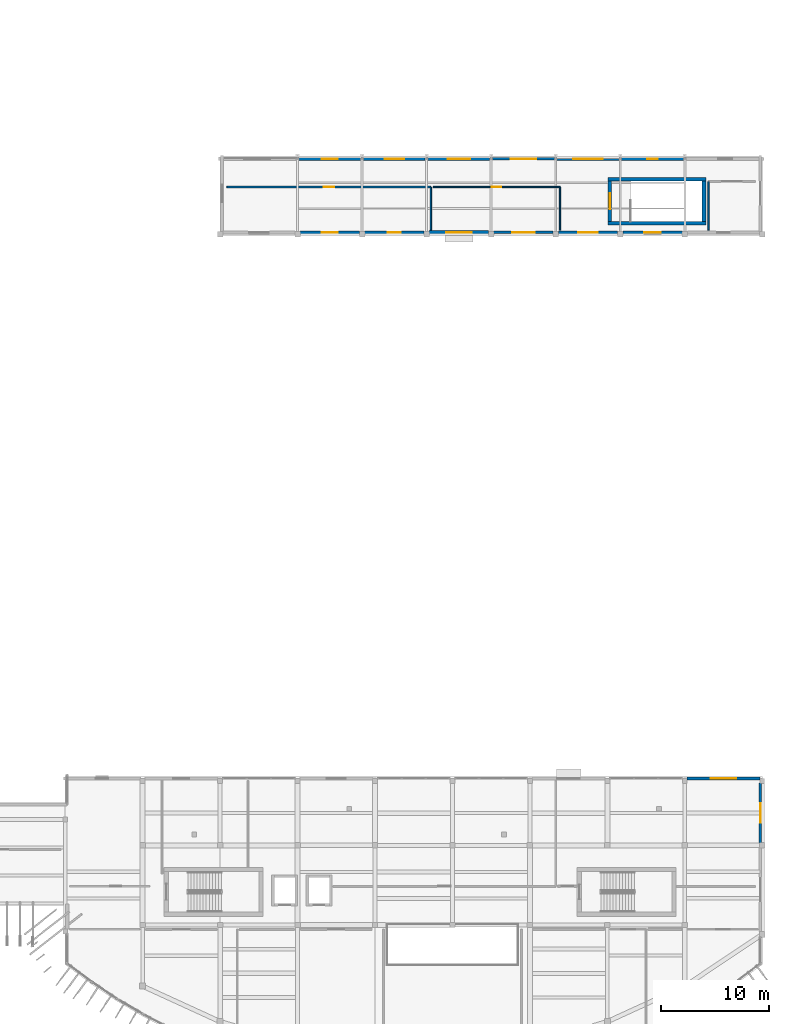
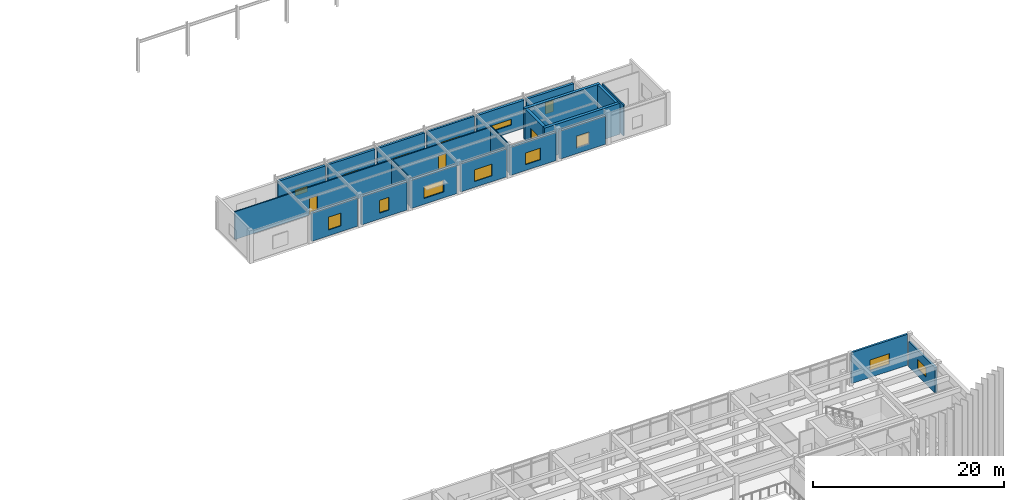
# One storey, part 33 of 47: 23 walls, 14 windows, 3 doors, 17 openings.
"""IFC4 building model written with IfcOpenShell, lengths in metres."""

from ifc_helpers import new_model, si_unit, direction, frame, frame_2d, origin, place, context, subcontext, project, spatial, rectangle, extrude, material, layer, layer_set, type_object, element, fill, save


model = new_model("IFC4")

# Units and contexts
model_context = context("Model", 3, precision=1e-05, world=origin(), true_north=direction((0.0, 1.0)))
body_context = subcontext(model_context, "Body", "Model", "MODEL_VIEW")
ifc_project = project(units=[si_unit("LENGTHUNIT", "METRE"), si_unit("AREAUNIT", "SQUARE_METRE"), si_unit("VOLUMEUNIT", "CUBIC_METRE"), si_unit("PLANEANGLEUNIT", "RADIAN"), si_unit("MASSUNIT", "GRAM", prefix="KILO")], contexts=[model_context])

# Site, building, storey
site_placement = place(None, origin())
site = spatial("IfcSite", under=ifc_project, at=site_placement, CompositionType="ELEMENT")
building_placement = place(site_placement, origin())
building = spatial("IfcBuilding", under=site, at=building_placement, Name="Brisavento Harbour Community Centre", CompositionType="ELEMENT")
storey_placement = place(building_placement, frame((0.0, 0.0, 8.699951171875)))
storey = spatial("IfcBuildingStorey", under=building, at=storey_placement, Name="L02", CompositionType="ELEMENT", Elevation=8.699951171875)

# Walls
ifc_material_1 = material(Name="Concrete C40/50", Category="concrete")
ifc_layer_1 = layer(ifc_material_1, 0.35009765625, Name="Concrete C40/50")
ifc_layer_set_1 = layer_set([ifc_layer_1], Name="Concrete C40/50")
wall_type_1 = type_object("IfcWallType", Name="WL-CORE-350", PredefinedType="SHEAR", material=ifc_layer_set_1)
for number, where, z_axis, x_axis, name in (
    (1, (158.449951171875, 80.22509765625, 0.0), (0.0, 0.0, 1.0), (1.0, 0.0, 0.0), "L02 core C4 shear wall L"),
    (2, (167.550048828125, 84.324951171875, 0.0), (0.0, 0.0, 1.0), (-1.0, 0.0, 0.0), "L02 core C4 shear wall R"),
):
    element("IfcWall", number, at=place(storey_placement, frame(where, z_axis=z_axis, x_axis=x_axis)), inside=storey, type_object=wall_type_1, Name=name, PredefinedType="SHEAR", context=body_context, shape_type="SweptSolid", body=[
        extrude(rectangle(XDim=9.10009765625, YDim=0.35009765625, at=frame_2d((4.550048828125, 0.0))), origin(), (0.0, 0.0, 1.0), 3.9599609375),
    ])
wall_1_placement = place(storey_placement, frame((167.375, 80.39990234375, 0.0), z_axis=(0.0, 0.0, 1.0), x_axis=(0.0, 1.0, 0.0)))
element("IfcWall", 3, at=wall_1_placement, inside=storey, type_object=wall_type_1, Name="L02 core C4 shear wall F", PredefinedType="SHEAR", context=body_context, shape_type="SweptSolid", body=[
    extrude(rectangle(XDim=3.75, YDim=0.35009765625, at=frame_2d((1.875, 0.0))), origin(), (0.0, 0.0, 1.0), 3.9599609375),
])

# Wall, opening, door
wall_2_placement = place(storey_placement, frame((158.625, 84.14990234375, 0.0), z_axis=(0.0, 0.0, 1.0), x_axis=(0.0, -1.0, 0.0)))
wall_2 = element("IfcWall", 4, at=wall_2_placement, inside=storey, type_object=wall_type_1, Name="L02 core C4 shear wall N", PredefinedType="SHEAR", context=body_context, shape_type="SweptSolid", body=[
    extrude(rectangle(XDim=3.75, YDim=0.35009765625, at=frame_2d((1.875, 0.0))), origin(), (0.0, 0.0, 1.0), 3.9599609375),
])
opening_1_placement = place(wall_2_placement, frame((1.125, 0.0, 0.0)))
opening_1 = element("IfcOpeningElement", 5, at=opening_1_placement, cuts=wall_2, Name="Opening SD-01", PredefinedType="OPENING", context=body_context, shape_type="SweptSolid", body=[
    extrude(rectangle(XDim=1.5, YDim=2.199951171875, at=frame_2d((0.75, 1.10009765625))), frame((0.0, 0.18505859375, 0.0), z_axis=(0.0, -1.0, 0.0), x_axis=(1.0, 0.0, 0.0)), (0.0, 0.0, 1.0), 0.3701171875),
])
ifc_material_2 = material(Name="Fire-rated steel door assembly", Category="steel")
door_type_1 = type_object("IfcDoorType", Name="DR-STAIR-150x220", OperationType="NOTDEFINED", PredefinedType="DOOR", material=ifc_material_2)
door_1_placement = place(opening_1_placement, origin())
door_1 = element("IfcDoor", 6, at=door_1_placement, inside=storey, type_object=door_type_1, Name="L02 exit stair ST-06 fire door", OperationType="SINGLE_SWING_RIGHT", OverallHeight=2.199951171875, OverallWidth=1.5, PredefinedType="DOOR", context=body_context, shape_type="SweptSolid", body=[
    extrude(rectangle(XDim=1.5, YDim=2.199951171875, at=frame_2d((0.75, 1.10009765625))), frame((0.0, 0.02490234375, 0.0), z_axis=(0.0, -1.0, 0.0), x_axis=(1.0, 0.0, 0.0)), (0.0, 0.0, 1.0), 0.050048828125),
])
fill(opening_1, door_1)

# Wall, opening, window
ifc_material_3 = material(Name="Terracotta masonry unit", Category="masonry")
ifc_layer_2 = layer(ifc_material_3, 0.239990234375, Name="Terracotta masonry unit")
ifc_layer_set_2 = layer_set([ifc_layer_2], Name="Terracotta masonry unit")
wall_type_2 = type_object("IfcWallType", Name="WL-EXT-240", PredefinedType="SOLIDWALL", material=ifc_layer_set_2)
wall_3_placement = place(storey_placement, frame((165.81005859375, 28.6201171875, 0.0), z_axis=(0.0, 0.0, 1.0), x_axis=(1.0, 0.0, 0.0)))
wall_3 = element("IfcWall", 7, at=wall_3_placement, inside=storey, type_object=wall_type_2, Name="L02 V3 exterior wall 0243", PredefinedType="SOLIDWALL", context=body_context, shape_type="SweptSolid", body=[
    extrude(rectangle(XDim=6.780029296875, YDim=0.239990234375, at=frame_2d((3.39013671875, 0.0))), origin(), (0.0, 0.0, 1.0), 3.9599609375),
])
opening_2_placement = place(wall_3_placement, frame((2.18994140625, 0.0, 0.89990234375)))
opening_2 = element("IfcOpeningElement", 8, at=opening_2_placement, cuts=wall_3, Name="Opening W-13", PredefinedType="OPENING", context=body_context, shape_type="SweptSolid", body=[
    extrude(rectangle(XDim=2.39990234375, YDim=1.35009765625, at=frame_2d((1.199951171875, 0.675048828125))), frame((0.0, 0.1298828125, 0.0), z_axis=(0.0, -1.0, 0.0), x_axis=(1.0, 0.0, 0.0)), (0.0, 0.0, 1.0), 0.260009765625),
])
ifc_material_4 = material(Name="Solar-control laminated low-E glass", Category="glass")
window_type_1 = type_object("IfcWindowType", Name="WIN-CAS-13", PartitioningType="SINGLE_PANEL", PredefinedType="WINDOW", material=ifc_material_4)
window_1_placement = place(opening_2_placement, origin())
window_1 = element("IfcWindow", 9, at=window_1_placement, inside=storey, type_object=window_type_1, Name="L02 V3 impact casement window 0121", OverallHeight=1.35009765625, OverallWidth=2.39990234375, PartitioningType="SINGLE_PANEL", PredefinedType="WINDOW", context=body_context, shape_type="SweptSolid", body=[
    extrude(rectangle(XDim=2.39990234375, YDim=1.35009765625, at=frame_2d((1.199951171875, 0.675048828125))), frame((0.0, 0.030029296875, 0.0), z_axis=(0.0, -1.0, 0.0), x_axis=(1.0, 0.0, 0.0)), (0.0, 0.0, 1.0), 0.06005859375),
])
fill(opening_2, window_1)

wall_4_placement = place(storey_placement, frame((153.364990234375, 79.3798828125, 0.0), z_axis=(0.0, 0.0, 1.0), x_axis=(-1.0, 0.0, 0.0)))
wall_4 = element("IfcWall", 10, at=wall_4_placement, inside=storey, type_object=wall_type_2, Name="L02 V4 exterior wall 0248", PredefinedType="SOLIDWALL", context=body_context, shape_type="SweptSolid", body=[
    extrude(rectangle(XDim=5.530029296875, YDim=0.239990234375, at=frame_2d((2.76513671875, 0.0))), origin(), (0.0, 0.0, 1.0), 3.60009765625),
])
opening_3_placement = place(wall_4_placement, frame((1.715087890625, 0.0, 0.75)))
opening_3 = element("IfcOpeningElement", 11, at=opening_3_placement, cuts=wall_4, Name="Opening W-17", PredefinedType="OPENING", context=body_context, shape_type="SweptSolid", body=[
    extrude(rectangle(XDim=2.10009765625, YDim=1.5, at=frame_2d((1.050048828125, 0.75))), frame((0.0, 0.1298828125, 0.0), z_axis=(0.0, -1.0, 0.0), x_axis=(1.0, 0.0, 0.0)), (0.0, 0.0, 1.0), 0.260009765625),
])
window_type_2 = type_object("IfcWindowType", Name="WIN-CAS-17", PartitioningType="SINGLE_PANEL", PredefinedType="WINDOW", material=ifc_material_4)
window_2_placement = place(opening_3_placement, origin())
window_2 = element("IfcWindow", 12, at=window_2_placement, inside=storey, type_object=window_type_2, Name="L02 V4 impact casement window 0125", OverallHeight=1.5, OverallWidth=2.10009765625, PartitioningType="SINGLE_PANEL", PredefinedType="WINDOW", context=body_context, shape_type="SweptSolid", body=[
    extrude(rectangle(XDim=2.10009765625, YDim=1.5, at=frame_2d((1.050048828125, 0.75))), frame((0.0, 0.030029296875, 0.0), z_axis=(0.0, -1.0, 0.0), x_axis=(1.0, 0.0, 0.0)), (0.0, 0.0, 1.0), 0.06005859375),
])
fill(opening_3, window_2)

wall_5_placement = place(storey_placement, frame((147.735107421875, 86.219970703125, 0.0), z_axis=(0.0, 0.0, 1.0), x_axis=(1.0, 0.0, 0.0)))
wall_5 = element("IfcWall", 13, at=wall_5_placement, inside=storey, type_object=wall_type_2, Name="L02 V4 exterior wall 0258", PredefinedType="SOLIDWALL", context=body_context, shape_type="SweptSolid", body=[
    extrude(rectangle(XDim=5.72998046875, YDim=0.239990234375, at=frame_2d((2.864990234375, 0.0))), origin(), (0.0, 0.0, 1.0), 3.56005859375),
])
opening_4_placement = place(wall_5_placement, frame((1.6650390625, 0.0, 0.89990234375)))
opening_4 = element("IfcOpeningElement", 14, at=opening_4_placement, cuts=wall_5, Name="Opening W-27", PredefinedType="OPENING", context=body_context, shape_type="SweptSolid", body=[
    extrude(rectangle(XDim=2.39990234375, YDim=0.75, at=frame_2d((1.199951171875, 0.375))), frame((0.0, 0.1298828125, 0.0), z_axis=(0.0, -1.0, 0.0), x_axis=(1.0, 0.0, 0.0)), (0.0, 0.0, 1.0), 0.260009765625),
])
window_type_3 = type_object("IfcWindowType", Name="WIN-CAS-27", PartitioningType="SINGLE_PANEL", PredefinedType="WINDOW", material=ifc_material_4)
window_3_placement = place(opening_4_placement, origin())
window_3 = element("IfcWindow", 15, at=window_3_placement, inside=storey, type_object=window_type_3, Name="L02 V4 impact casement window 0135", OverallHeight=0.75, OverallWidth=2.39990234375, PartitioningType="SINGLE_PANEL", PredefinedType="WINDOW", context=body_context, shape_type="SweptSolid", body=[
    extrude(rectangle(XDim=2.39990234375, YDim=0.75, at=frame_2d((1.199951171875, 0.375))), frame((0.0, 0.030029296875, 0.0), z_axis=(0.0, -1.0, 0.0), x_axis=(1.0, 0.0, 0.0)), (0.0, 0.0, 1.0), 0.06005859375),
])
fill(opening_4, window_3)

ifc_layer_3 = layer(ifc_material_3, 0.260009765625, Name="Terracotta masonry unit")
ifc_layer_set_3 = layer_set([ifc_layer_3], Name="Terracotta masonry unit")
wall_type_3 = type_object("IfcWallType", Name="WL-EXT-260", PredefinedType="SOLIDWALL", material=ifc_layer_set_3)
wall_6_placement = place(storey_placement, frame((172.6201171875, 28.18994140625, 0.0), z_axis=(0.0, 0.0, 1.0), x_axis=(0.0, -1.0, 0.0)))
wall_6 = element("IfcWall", 16, at=wall_6_placement, inside=storey, type_object=wall_type_3, Name="L02 V3 exterior wall 0237", PredefinedType="SOLIDWALL", context=body_context, shape_type="SweptSolid", body=[
    extrude(rectangle(XDim=5.554931640625, YDim=0.260009765625, at=frame_2d((2.77734375, 0.0))), origin(), (0.0, 0.0, 1.0), 3.260009765625),
])
opening_5_placement = place(wall_6_placement, frame((1.87744140625, 0.0, 0.89990234375)))
opening_5 = element("IfcOpeningElement", 17, at=opening_5_placement, cuts=wall_6, Name="Opening W-07", PredefinedType="OPENING", context=body_context, shape_type="SweptSolid", body=[
    extrude(rectangle(XDim=1.800048828125, YDim=1.199951171875, at=frame_2d((0.89990234375, 0.60009765625))), frame((0.0, 0.14013671875, 0.0), z_axis=(0.0, -1.0, 0.0), x_axis=(1.0, 0.0, 0.0)), (0.0, 0.0, 1.0), 0.280029296875),
])
window_type_4 = type_object("IfcWindowType", Name="WIN-CAS-07", PartitioningType="SINGLE_PANEL", PredefinedType="WINDOW", material=ifc_material_4)
window_4_placement = place(opening_5_placement, origin())
window_4 = element("IfcWindow", 18, at=window_4_placement, inside=storey, type_object=window_type_4, Name="L02 V3 impact casement window 0115", OverallHeight=1.199951171875, OverallWidth=1.800048828125, PartitioningType="SINGLE_PANEL", PredefinedType="WINDOW", context=body_context, shape_type="SweptSolid", body=[
    extrude(rectangle(XDim=1.800048828125, YDim=1.199951171875, at=frame_2d((0.89990234375, 0.60009765625))), frame((0.0, 0.030029296875, 0.0), z_axis=(0.0, -1.0, 0.0), x_axis=(1.0, 0.0, 0.0)), (0.0, 0.0, 1.0), 0.06005859375),
])
fill(opening_5, window_4)

wall_7_placement = place(storey_placement, frame((159.364990234375, 79.3798828125, 0.0), z_axis=(0.0, 0.0, 1.0), x_axis=(-1.0, 0.0, 0.0)))
wall_7 = element("IfcWall", 19, at=wall_7_placement, inside=storey, type_object=wall_type_3, Name="L02 V4 exterior wall 0247", PredefinedType="SOLIDWALL", context=body_context, shape_type="SweptSolid", body=[
    extrude(rectangle(XDim=5.530029296875, YDim=0.260009765625, at=frame_2d((2.76513671875, 0.0))), origin(), (0.0, 0.0, 1.0), 3.60009765625),
])
opening_6_placement = place(wall_7_placement, frame((1.864990234375, 0.0, 0.75)))
opening_6 = element("IfcOpeningElement", 20, at=opening_6_placement, cuts=wall_7, Name="Opening W-16", PredefinedType="OPENING", context=body_context, shape_type="SweptSolid", body=[
    extrude(rectangle(XDim=1.800048828125, YDim=1.5, at=frame_2d((0.89990234375, 0.75))), frame((0.0, 0.14013671875, 0.0), z_axis=(0.0, -1.0, 0.0), x_axis=(1.0, 0.0, 0.0)), (0.0, 0.0, 1.0), 0.280029296875),
])
window_type_5 = type_object("IfcWindowType", Name="WIN-CAS-16", PartitioningType="SINGLE_PANEL", PredefinedType="WINDOW", material=ifc_material_4)
window_5_placement = place(opening_6_placement, origin())
window_5 = element("IfcWindow", 21, at=window_5_placement, inside=storey, type_object=window_type_5, Name="L02 V4 impact casement window 0124", OverallHeight=1.5, OverallWidth=1.800048828125, PartitioningType="SINGLE_PANEL", PredefinedType="WINDOW", context=body_context, shape_type="SweptSolid", body=[
    extrude(rectangle(XDim=1.800048828125, YDim=1.5, at=frame_2d((0.89990234375, 0.75))), frame((0.0, 0.030029296875, 0.0), z_axis=(0.0, -1.0, 0.0), x_axis=(1.0, 0.0, 0.0)), (0.0, 0.0, 1.0), 0.06005859375),
])
fill(opening_6, window_5)

wall_8_placement = place(storey_placement, frame((141.735107421875, 86.219970703125, 0.0), z_axis=(0.0, 0.0, 1.0), x_axis=(1.0, 0.0, 0.0)))
wall_8 = element("IfcWall", 22, at=wall_8_placement, inside=storey, type_object=wall_type_3, Name="L02 V4 exterior wall 0257", PredefinedType="SOLIDWALL", context=body_context, shape_type="SweptSolid", body=[
    extrude(rectangle(XDim=5.72998046875, YDim=0.260009765625, at=frame_2d((2.864990234375, 0.0))), origin(), (0.0, 0.0, 1.0), 3.56005859375),
])
opening_7_placement = place(wall_8_placement, frame((1.81494140625, 0.0, 0.89990234375)))
opening_7 = element("IfcOpeningElement", 23, at=opening_7_placement, cuts=wall_8, Name="Opening W-26", PredefinedType="OPENING", context=body_context, shape_type="SweptSolid", body=[
    extrude(rectangle(XDim=2.10009765625, YDim=0.75, at=frame_2d((1.050048828125, 0.375))), frame((0.0, 0.14013671875, 0.0), z_axis=(0.0, -1.0, 0.0), x_axis=(1.0, 0.0, 0.0)), (0.0, 0.0, 1.0), 0.280029296875),
])
window_type_6 = type_object("IfcWindowType", Name="WIN-CAS-26", PartitioningType="SINGLE_PANEL", PredefinedType="WINDOW", material=ifc_material_4)
window_6_placement = place(opening_7_placement, origin())
window_6 = element("IfcWindow", 24, at=window_6_placement, inside=storey, type_object=window_type_6, Name="L02 V4 impact casement window 0134", OverallHeight=0.75, OverallWidth=2.10009765625, PartitioningType="SINGLE_PANEL", PredefinedType="WINDOW", context=body_context, shape_type="SweptSolid", body=[
    extrude(rectangle(XDim=2.10009765625, YDim=0.75, at=frame_2d((1.050048828125, 0.375))), frame((0.0, 0.030029296875, 0.0), z_axis=(0.0, -1.0, 0.0), x_axis=(1.0, 0.0, 0.0)), (0.0, 0.0, 1.0), 0.06005859375),
])
fill(opening_7, window_6)

ifc_material_5 = material(Name="Precast concrete C40/50", Category="concrete")
ifc_layer_4 = layer(ifc_material_5, 0.280029296875, Name="Precast concrete C40/50")
ifc_layer_set_4 = layer_set([ifc_layer_4], Name="Precast concrete C40/50")
wall_type_4 = type_object("IfcWallType", Name="WL-EXT-280", PredefinedType="SOLIDWALL", material=ifc_layer_set_4)
wall_9_placement = place(storey_placement, frame((165.364990234375, 79.3798828125, 0.0), z_axis=(0.0, 0.0, 1.0), x_axis=(-1.0, 0.0, 0.0)))
wall_9 = element("IfcWall", 25, at=wall_9_placement, inside=storey, type_object=wall_type_4, Name="L02 V4 exterior wall 0246", PredefinedType="SOLIDWALL", context=body_context, shape_type="SweptSolid", body=[
    extrude(rectangle(XDim=5.530029296875, YDim=0.280029296875, at=frame_2d((2.76513671875, 0.0))), origin(), (0.0, 0.0, 1.0), 3.60009765625),
])
opening_8_placement = place(wall_9_placement, frame((2.014892578125, 0.0, 0.75)))
opening_8 = element("IfcOpeningElement", 26, at=opening_8_placement, cuts=wall_9, Name="Opening W-15", PredefinedType="OPENING", context=body_context, shape_type="SweptSolid", body=[
    extrude(rectangle(XDim=1.5, YDim=1.5, at=frame_2d((0.75, 0.75))), frame((0.0, 0.14990234375, 0.0), z_axis=(0.0, -1.0, 0.0), x_axis=(1.0, 0.0, 0.0)), (0.0, 0.0, 1.0), 0.300048828125),
])
window_type_7 = type_object("IfcWindowType", Name="WIN-CAS-15", PartitioningType="SINGLE_PANEL", PredefinedType="WINDOW", material=ifc_material_4)
window_7_placement = place(opening_8_placement, origin())
window_7 = element("IfcWindow", 27, at=window_7_placement, inside=storey, type_object=window_type_7, Name="L02 V4 impact casement window 0123", OverallHeight=1.5, OverallWidth=1.5, PartitioningType="SINGLE_PANEL", PredefinedType="WINDOW", context=body_context, shape_type="SweptSolid", body=[
    extrude(rectangle(XDim=1.5, YDim=1.5, at=frame_2d((0.75, 0.75))), frame((0.0, 0.030029296875, 0.0), z_axis=(0.0, -1.0, 0.0), x_axis=(1.0, 0.0, 0.0)), (0.0, 0.0, 1.0), 0.06005859375),
])
fill(opening_8, window_7)

wall_10_placement = place(storey_placement, frame((135.364990234375, 79.3798828125, 0.0), z_axis=(0.0, 0.0, 1.0), x_axis=(-1.0, 0.0, 0.0)))
wall_10 = element("IfcWall", 28, at=wall_10_placement, inside=storey, type_object=wall_type_4, Name="L02 V4 exterior wall 0251", PredefinedType="SOLIDWALL", context=body_context, shape_type="SweptSolid", body=[
    extrude(rectangle(XDim=5.530029296875, YDim=0.280029296875, at=frame_2d((2.76513671875, 0.0))), origin(), (0.0, 0.0, 1.0), 3.60009765625),
])
opening_9_placement = place(wall_10_placement, frame((2.014892578125, 0.0, 0.75)))
opening_9 = element("IfcOpeningElement", 29, at=opening_9_placement, cuts=wall_10, Name="Opening W-20", PredefinedType="OPENING", context=body_context, shape_type="SweptSolid", body=[
    extrude(rectangle(XDim=1.5, YDim=1.64990234375, at=frame_2d((0.75, 0.824951171875))), frame((0.0, 0.14990234375, 0.0), z_axis=(0.0, -1.0, 0.0), x_axis=(1.0, 0.0, 0.0)), (0.0, 0.0, 1.0), 0.300048828125),
])
window_type_8 = type_object("IfcWindowType", Name="WIN-CAS-20", PartitioningType="SINGLE_PANEL", PredefinedType="WINDOW", material=ifc_material_4)
window_8_placement = place(opening_9_placement, origin())
window_8 = element("IfcWindow", 30, at=window_8_placement, inside=storey, type_object=window_type_8, Name="L02 V4 impact casement window 0128", OverallHeight=1.64990234375, OverallWidth=1.5, PartitioningType="SINGLE_PANEL", PredefinedType="WINDOW", context=body_context, shape_type="SweptSolid", body=[
    extrude(rectangle(XDim=1.5, YDim=1.64990234375, at=frame_2d((0.75, 0.824951171875))), frame((0.0, 0.030029296875, 0.0), z_axis=(0.0, -1.0, 0.0), x_axis=(1.0, 0.0, 0.0)), (0.0, 0.0, 1.0), 0.06005859375),
])
fill(opening_9, window_8)

wall_11_placement = place(storey_placement, frame((135.735107421875, 86.219970703125, 0.0), z_axis=(0.0, 0.0, 1.0), x_axis=(1.0, 0.0, 0.0)))
wall_11 = element("IfcWall", 31, at=wall_11_placement, inside=storey, type_object=wall_type_4, Name="L02 V4 exterior wall 0256", PredefinedType="SOLIDWALL", context=body_context, shape_type="SweptSolid", body=[
    extrude(rectangle(XDim=5.72998046875, YDim=0.280029296875, at=frame_2d((2.864990234375, 0.0))), origin(), (0.0, 0.0, 1.0), 3.56005859375),
])
opening_10_placement = place(wall_11_placement, frame((1.965087890625, 0.0, 0.89990234375)))
opening_10 = element("IfcOpeningElement", 32, at=opening_10_placement, cuts=wall_11, Name="Opening W-25", PredefinedType="OPENING", context=body_context, shape_type="SweptSolid", body=[
    extrude(rectangle(XDim=1.800048828125, YDim=0.75, at=frame_2d((0.89990234375, 0.375))), frame((0.0, 0.14990234375, 0.0), z_axis=(0.0, -1.0, 0.0), x_axis=(1.0, 0.0, 0.0)), (0.0, 0.0, 1.0), 0.300048828125),
])
window_type_9 = type_object("IfcWindowType", Name="WIN-CAS-25", PartitioningType="SINGLE_PANEL", PredefinedType="WINDOW", material=ifc_material_4)
window_9_placement = place(opening_10_placement, origin())
window_9 = element("IfcWindow", 33, at=window_9_placement, inside=storey, type_object=window_type_9, Name="L02 V4 impact casement window 0133", OverallHeight=0.75, OverallWidth=1.800048828125, PartitioningType="SINGLE_PANEL", PredefinedType="WINDOW", context=body_context, shape_type="SweptSolid", body=[
    extrude(rectangle(XDim=1.800048828125, YDim=0.75, at=frame_2d((0.89990234375, 0.375))), frame((0.0, 0.030029296875, 0.0), z_axis=(0.0, -1.0, 0.0), x_axis=(1.0, 0.0, 0.0)), (0.0, 0.0, 1.0), 0.06005859375),
])
fill(opening_10, window_9)

ifc_material_6 = material(Name="Concrete C35/45", Category="concrete")
ifc_layer_5 = layer(ifc_material_6, 0.300048828125, Name="Concrete C35/45")
ifc_layer_set_5 = layer_set([ifc_layer_5], Name="Concrete C35/45")
wall_type_5 = type_object("IfcWallType", Name="WL-EXT-300", PredefinedType="SOLIDWALL", material=ifc_layer_set_5)
wall_12_placement = place(storey_placement, frame((141.364990234375, 79.3798828125, 0.0), z_axis=(0.0, 0.0, 1.0), x_axis=(-1.0, 0.0, 0.0)))
wall_12 = element("IfcWall", 34, at=wall_12_placement, inside=storey, type_object=wall_type_5, Name="L02 V4 exterior wall 0250", PredefinedType="SOLIDWALL", context=body_context, shape_type="SweptSolid", body=[
    extrude(rectangle(XDim=5.530029296875, YDim=0.300048828125, at=frame_2d((2.76513671875, 0.0))), origin(), (0.0, 0.0, 1.0), 3.60009765625),
])
opening_11_placement = place(wall_12_placement, frame((2.1650390625, 0.0, 0.75)))
opening_11 = element("IfcOpeningElement", 35, at=opening_11_placement, cuts=wall_12, Name="Opening W-19", PredefinedType="OPENING", context=body_context, shape_type="SweptSolid", body=[
    extrude(rectangle(XDim=1.199951171875, YDim=1.64990234375, at=frame_2d((0.60009765625, 0.824951171875))), frame((0.0, 0.16015625, 0.0), z_axis=(0.0, -1.0, 0.0), x_axis=(1.0, 0.0, 0.0)), (0.0, 0.0, 1.0), 0.320068359375),
])
window_type_10 = type_object("IfcWindowType", Name="WIN-CAS-19", PartitioningType="SINGLE_PANEL", PredefinedType="WINDOW", material=ifc_material_4)
window_10_placement = place(opening_11_placement, origin())
window_10 = element("IfcWindow", 36, at=window_10_placement, inside=storey, type_object=window_type_10, Name="L02 V4 impact casement window 0127", OverallHeight=1.64990234375, OverallWidth=1.199951171875, PartitioningType="SINGLE_PANEL", PredefinedType="WINDOW", context=body_context, shape_type="SweptSolid", body=[
    extrude(rectangle(XDim=1.199951171875, YDim=1.64990234375, at=frame_2d((0.60009765625, 0.824951171875))), frame((0.0, 0.030029296875, 0.0), z_axis=(0.0, -1.0, 0.0), x_axis=(1.0, 0.0, 0.0)), (0.0, 0.0, 1.0), 0.06005859375),
])
fill(opening_11, window_10)

wall_13_placement = place(storey_placement, frame((129.735107421875, 86.219970703125, 0.0), z_axis=(0.0, 0.0, 1.0), x_axis=(1.0, 0.0, 0.0)))
wall_13 = element("IfcWall", 37, at=wall_13_placement, inside=storey, type_object=wall_type_5, Name="L02 V4 exterior wall 0255", PredefinedType="SOLIDWALL", context=body_context, shape_type="SweptSolid", body=[
    extrude(rectangle(XDim=5.72998046875, YDim=0.300048828125, at=frame_2d((2.864990234375, 0.0))), origin(), (0.0, 0.0, 1.0), 3.56005859375),
])
opening_12_placement = place(wall_13_placement, frame((2.114990234375, 0.0, 0.89990234375)))
opening_12 = element("IfcOpeningElement", 38, at=opening_12_placement, cuts=wall_13, Name="Opening W-24", PredefinedType="OPENING", context=body_context, shape_type="SweptSolid", body=[
    extrude(rectangle(XDim=1.5, YDim=0.75, at=frame_2d((0.75, 0.375))), frame((0.0, 0.16015625, 0.0), z_axis=(0.0, -1.0, 0.0), x_axis=(1.0, 0.0, 0.0)), (0.0, 0.0, 1.0), 0.320068359375),
])
window_type_11 = type_object("IfcWindowType", Name="WIN-CAS-24", PartitioningType="SINGLE_PANEL", PredefinedType="WINDOW", material=ifc_material_4)
window_11_placement = place(opening_12_placement, origin())
window_11 = element("IfcWindow", 39, at=window_11_placement, inside=storey, type_object=window_type_11, Name="L02 V4 impact casement window 0132", OverallHeight=0.75, OverallWidth=1.5, PartitioningType="SINGLE_PANEL", PredefinedType="WINDOW", context=body_context, shape_type="SweptSolid", body=[
    extrude(rectangle(XDim=1.5, YDim=0.75, at=frame_2d((0.75, 0.375))), frame((0.0, 0.030029296875, 0.0), z_axis=(0.0, -1.0, 0.0), x_axis=(1.0, 0.0, 0.0)), (0.0, 0.0, 1.0), 0.06005859375),
])
fill(opening_12, window_11)

wall_14_placement = place(storey_placement, frame((159.735107421875, 86.219970703125, 0.0), z_axis=(0.0, 0.0, 1.0), x_axis=(1.0, 0.0, 0.0)))
wall_14 = element("IfcWall", 40, at=wall_14_placement, inside=storey, type_object=wall_type_5, Name="L02 V4 exterior wall 0260", PredefinedType="SOLIDWALL", context=body_context, shape_type="SweptSolid", body=[
    extrude(rectangle(XDim=5.72998046875, YDim=0.300048828125, at=frame_2d((2.864990234375, 0.0))), origin(), (0.0, 0.0, 1.0), 3.56005859375),
])
opening_13_placement = place(wall_14_placement, frame((2.364990234375, 0.0, 0.75)))
opening_13 = element("IfcOpeningElement", 41, at=opening_13_placement, cuts=wall_14, Name="Opening W-29", PredefinedType="OPENING", context=body_context, shape_type="SweptSolid", body=[
    extrude(rectangle(XDim=1.0, YDim=1.449951171875, at=frame_2d((0.5, 0.72509765625))), frame((0.0, 0.16015625, 0.0), z_axis=(0.0, -1.0, 0.0), x_axis=(1.0, 0.0, 0.0)), (0.0, 0.0, 1.0), 0.320068359375),
])
window_type_12 = type_object("IfcWindowType", Name="WIN-CAS-29", PartitioningType="SINGLE_PANEL", PredefinedType="WINDOW", material=ifc_material_4)
window_12_placement = place(opening_13_placement, origin())
window_12 = element("IfcWindow", 42, at=window_12_placement, inside=storey, type_object=window_type_12, Name="L02 V4 impact casement window 0137", OverallHeight=1.449951171875, OverallWidth=1.0, PartitioningType="SINGLE_PANEL", PredefinedType="WINDOW", context=body_context, shape_type="SweptSolid", body=[
    extrude(rectangle(XDim=1.0, YDim=1.449951171875, at=frame_2d((0.5, 0.72509765625))), frame((0.0, 0.030029296875, 0.0), z_axis=(0.0, -1.0, 0.0), x_axis=(1.0, 0.0, 0.0)), (0.0, 0.0, 1.0), 0.06005859375),
])
fill(opening_13, window_12)

ifc_layer_6 = layer(ifc_material_6, 0.320068359375, Name="Concrete C35/45")
ifc_layer_set_6 = layer_set([ifc_layer_6], Name="Concrete C35/45")
wall_type_6 = type_object("IfcWallType", Name="WL-EXT-320", PredefinedType="SOLIDWALL", material=ifc_layer_set_6)
wall_15_placement = place(storey_placement, frame((147.364990234375, 79.3798828125, 0.0), z_axis=(0.0, 0.0, 1.0), x_axis=(-1.0, 0.0, 0.0)))
wall_15 = element("IfcWall", 43, at=wall_15_placement, inside=storey, type_object=wall_type_6, Name="L02 V4 exterior wall 0249", PredefinedType="SOLIDWALL", context=body_context, shape_type="SweptSolid", body=[
    extrude(rectangle(XDim=5.530029296875, YDim=0.320068359375, at=frame_2d((2.76513671875, 0.0))), origin(), (0.0, 0.0, 1.0), 3.60009765625),
])
opening_14_placement = place(wall_15_placement, frame((1.56494140625, 0.0, 0.75)))
opening_14 = element("IfcOpeningElement", 44, at=opening_14_placement, cuts=wall_15, Name="Opening W-18", PredefinedType="OPENING", context=body_context, shape_type="SweptSolid", body=[
    extrude(rectangle(XDim=2.39990234375, YDim=1.5, at=frame_2d((1.199951171875, 0.75))), frame((0.0, 0.169921875, 0.0), z_axis=(0.0, -1.0, 0.0), x_axis=(1.0, 0.0, 0.0)), (0.0, 0.0, 1.0), 0.340087890625),
])
window_type_13 = type_object("IfcWindowType", Name="WIN-CAS-18", PartitioningType="SINGLE_PANEL", PredefinedType="WINDOW", material=ifc_material_4)
window_13_placement = place(opening_14_placement, origin())
window_13 = element("IfcWindow", 45, at=window_13_placement, inside=storey, type_object=window_type_13, Name="L02 V4 impact casement window 0126", OverallHeight=1.5, OverallWidth=2.39990234375, PartitioningType="SINGLE_PANEL", PredefinedType="WINDOW", context=body_context, shape_type="SweptSolid", body=[
    extrude(rectangle(XDim=2.39990234375, YDim=1.5, at=frame_2d((1.199951171875, 0.75))), frame((0.0, 0.030029296875, 0.0), z_axis=(0.0, -1.0, 0.0), x_axis=(1.0, 0.0, 0.0)), (0.0, 0.0, 1.0), 0.06005859375),
])
fill(opening_14, window_13)

wall_16_placement = place(storey_placement, frame((153.735107421875, 86.219970703125, 0.0), z_axis=(0.0, 0.0, 1.0), x_axis=(1.0, 0.0, 0.0)))
wall_16 = element("IfcWall", 46, at=wall_16_placement, inside=storey, type_object=wall_type_6, Name="L02 V4 exterior wall 0259", PredefinedType="SOLIDWALL", context=body_context, shape_type="SweptSolid", body=[
    extrude(rectangle(XDim=5.72998046875, YDim=0.320068359375, at=frame_2d((2.864990234375, 0.0))), origin(), (0.0, 0.0, 1.0), 3.56005859375),
])
opening_15_placement = place(wall_16_placement, frame((1.514892578125, 0.0, 0.89990234375)))
opening_15 = element("IfcOpeningElement", 47, at=opening_15_placement, cuts=wall_16, Name="Opening W-28", PredefinedType="OPENING", context=body_context, shape_type="SweptSolid", body=[
    extrude(rectangle(XDim=2.699951171875, YDim=0.75, at=frame_2d((1.35009765625, 0.375))), frame((0.0, 0.169921875, 0.0), z_axis=(0.0, -1.0, 0.0), x_axis=(1.0, 0.0, 0.0)), (0.0, 0.0, 1.0), 0.340087890625),
])
window_type_14 = type_object("IfcWindowType", Name="WIN-CAS-28", PartitioningType="SINGLE_PANEL", PredefinedType="WINDOW", material=ifc_material_4)
window_14_placement = place(opening_15_placement, origin())
window_14 = element("IfcWindow", 48, at=window_14_placement, inside=storey, type_object=window_type_14, Name="L02 V4 impact casement window 0136", OverallHeight=0.75, OverallWidth=2.699951171875, PartitioningType="SINGLE_PANEL", PredefinedType="WINDOW", context=body_context, shape_type="SweptSolid", body=[
    extrude(rectangle(XDim=2.699951171875, YDim=0.75, at=frame_2d((1.35009765625, 0.375))), frame((0.0, 0.030029296875, 0.0), z_axis=(0.0, -1.0, 0.0), x_axis=(1.0, 0.0, 0.0)), (0.0, 0.0, 1.0), 0.06005859375),
])
fill(opening_15, window_14)

# Wall
ifc_material_7 = material(Name="Lightweight stud partition", Category="other")
ifc_layer_7 = layer(ifc_material_7, 0.10009765625, Name="Lightweight stud partition")
ifc_layer_set_7 = layer_set([ifc_layer_7], Name="Lightweight stud partition")
wall_type_7 = type_object("IfcWallType", Name="WL-PRT-100", PredefinedType="PARTITIONING", material=ifc_layer_set_7)
wall_17_placement = place(storey_placement, frame((154.0, 79.60009765625, 0.0), z_axis=(0.0, 0.0, 1.0), x_axis=(0.0, 1.0, 0.0)))
element("IfcWall", 49, at=wall_17_placement, inside=storey, type_object=wall_type_7, Name="L02 Youth Coaching Classroom partition 0235", PredefinedType="PARTITIONING", context=body_context, shape_type="SweptSolid", body=[
    extrude(rectangle(XDim=4.0, YDim=0.10009765625, at=frame_2d((2.0, 0.0))), origin(), (0.0, 0.0, 1.0), 3.719970703125),
])

# Wall, opening, door
ifc_material_8 = material(Name="Gypsum metal-stud partition", Category="other")
ifc_layer_8 = layer(ifc_material_8, 0.1201171875, Name="Gypsum metal-stud partition")
ifc_layer_set_8 = layer_set([ifc_layer_8], Name="Gypsum metal-stud partition")
wall_type_8 = type_object("IfcWallType", Name="WL-PRT-120", PredefinedType="PARTITIONING", material=ifc_layer_set_8)
wall_18_placement = place(storey_placement, frame((154.0, 83.60009765625, 0.0), z_axis=(0.0, 0.0, 1.0), x_axis=(-1.0, 0.0, 0.0)))
wall_18 = element("IfcWall", 50, at=wall_18_placement, inside=storey, type_object=wall_type_8, Name="L02 Youth Coaching Classroom partition 0234", PredefinedType="PARTITIONING", context=body_context, shape_type="SweptSolid", body=[
    extrude(rectangle(XDim=11.800048828125, YDim=0.1201171875, at=frame_2d((5.89990234375, 0.0))), origin(), (0.0, 0.0, 1.0), 3.56005859375),
])
opening_16_placement = place(wall_18_placement, frame((5.449951171875, 0.0, 0.0)))
opening_16 = element("IfcOpeningElement", 51, at=opening_16_placement, cuts=wall_18, Name="Opening ID-11", PredefinedType="OPENING", context=body_context, shape_type="SweptSolid", body=[
    extrude(rectangle(XDim=0.89990234375, YDim=2.10009765625, at=frame_2d((0.449951171875, 1.050048828125))), frame((0.0, 0.070068359375, 0.0), z_axis=(0.0, -1.0, 0.0), x_axis=(1.0, 0.0, 0.0)), (0.0, 0.0, 1.0), 0.14013671875),
])
ifc_material_9 = material(Name="Solid-core tropical timber door", Category="wood")
door_type_2 = type_object("IfcDoorType", Name="DR-INT-090x210", OperationType="NOTDEFINED", PredefinedType="DOOR", material=ifc_material_9)
door_2_placement = place(opening_16_placement, origin())
door_2 = element("IfcDoor", 52, at=door_2_placement, inside=storey, type_object=door_type_2, Name="L02 Youth Coaching Classroom door 0088", OperationType="SINGLE_SWING_LEFT", OverallHeight=2.10009765625, OverallWidth=0.89990234375, PredefinedType="DOOR", context=body_context, shape_type="SweptSolid", body=[
    extrude(rectangle(XDim=0.89990234375, YDim=2.10009765625, at=frame_2d((0.449951171875, 1.050048828125))), frame((0.0, 0.02490234375, 0.0), z_axis=(0.0, -1.0, 0.0), x_axis=(1.0, 0.0, 0.0)), (0.0, 0.0, 1.0), 0.050048828125),
])
fill(opening_16, door_2)

# Walls
ifc_layer_9 = layer(ifc_material_8, 0.139892578125, Name="Gypsum metal-stud partition")
ifc_layer_set_9 = layer_set([ifc_layer_9], Name="Gypsum metal-stud partition")
wall_type_9 = type_object("IfcWallType", Name="WL-PRT-140", PredefinedType="PARTITIONING", material=ifc_layer_set_9)
wall_19_placement = place(storey_placement, frame((142.0, 79.60009765625, 0.0), z_axis=(0.0, 0.0, 1.0), x_axis=(0.0, 1.0, 0.0)))
element("IfcWall", 53, at=wall_19_placement, inside=storey, type_object=wall_type_9, Name="L02 Martial Arts and Movement Studio partition 0233", PredefinedType="PARTITIONING", context=body_context, shape_type="SweptSolid", body=[
    extrude(rectangle(XDim=4.0, YDim=0.139892578125, at=frame_2d((2.0, 0.0))), origin(), (0.0, 0.0, 1.0), 3.630126953125),
])
wall_20_placement = place(storey_placement, frame((167.800048828125, 84.10009765625, 0.0), z_axis=(0.0, 0.0, 1.0), x_axis=(0.0, -1.0, 0.0)))
element("IfcWall", 54, at=wall_20_placement, inside=storey, type_object=wall_type_9, Name="L02 Table Tennis and Recreation Room partition 0237", PredefinedType="PARTITIONING", context=body_context, shape_type="SweptSolid", body=[
    extrude(rectangle(XDim=4.5, YDim=0.139892578125, at=frame_2d((2.25, 0.0))), origin(), (0.0, 0.0, 1.0), 3.9599609375),
])

# Wall, opening, door
ifc_material_10 = material(Name="Moisture-resistant stud partition", Category="other")
ifc_layer_10 = layer(ifc_material_10, 0.14990234375, Name="Moisture-resistant stud partition")
ifc_layer_set_10 = layer_set([ifc_layer_10], Name="Moisture-resistant stud partition")
wall_type_10 = type_object("IfcWallType", Name="WL-PRT-150", PredefinedType="PARTITIONING", material=ifc_layer_set_10)
wall_21_placement = place(storey_placement, frame((142.0, 83.60009765625, 0.0), z_axis=(0.0, 0.0, 1.0), x_axis=(-1.0, 0.0, 0.0)))
wall_21 = element("IfcWall", 55, at=wall_21_placement, inside=storey, type_object=wall_type_10, Name="L02 Martial Arts and Movement Studio partition 0232", PredefinedType="PARTITIONING", context=body_context, shape_type="SweptSolid", body=[
    extrude(rectangle(XDim=18.969970703125, YDim=0.14990234375, at=frame_2d((9.48486328125, 0.0))), origin(), (0.0, 0.0, 1.0), 3.56005859375),
])
opening_17_placement = place(wall_21_placement, frame((9.010009765625, 0.0, 0.0)))
opening_17 = element("IfcOpeningElement", 56, at=opening_17_placement, cuts=wall_21, Name="Opening ID-10", PredefinedType="OPENING", context=body_context, shape_type="SweptSolid", body=[
    extrude(rectangle(XDim=0.949951171875, YDim=2.14990234375, at=frame_2d((0.47509765625, 1.074951171875))), frame((0.0, 0.0849609375, 0.0), z_axis=(0.0, -1.0, 0.0), x_axis=(1.0, 0.0, 0.0)), (0.0, 0.0, 1.0), 0.169921875),
])
door_type_3 = type_object("IfcDoorType", Name="DR-INT-095x215", OperationType="NOTDEFINED", PredefinedType="DOOR", material=ifc_material_9)
door_3_placement = place(opening_17_placement, origin())
door_3 = element("IfcDoor", 57, at=door_3_placement, inside=storey, type_object=door_type_3, Name="L02 Martial Arts and Movement Studio door 0087", OperationType="SINGLE_SWING_RIGHT", OverallHeight=2.14990234375, OverallWidth=0.949951171875, PredefinedType="DOOR", context=body_context, shape_type="SweptSolid", body=[
    extrude(rectangle(XDim=0.949951171875, YDim=2.14990234375, at=frame_2d((0.47509765625, 1.074951171875))), frame((0.0, 0.02490234375, 0.0), z_axis=(0.0, -1.0, 0.0), x_axis=(1.0, 0.0, 0.0)), (0.0, 0.0, 1.0), 0.050048828125),
])
fill(opening_17, door_3)

save(model, "model.ifc")
